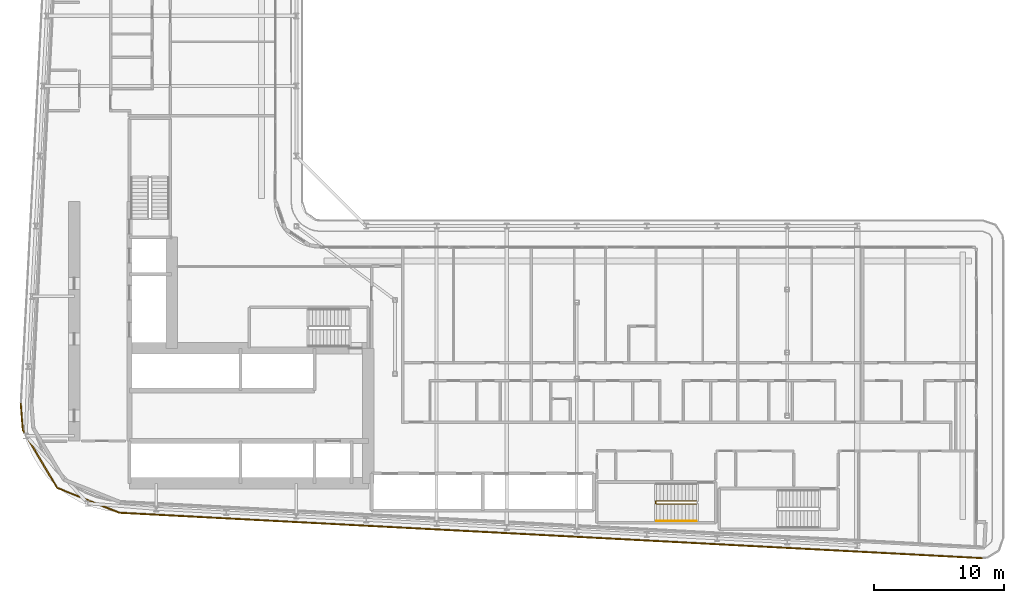
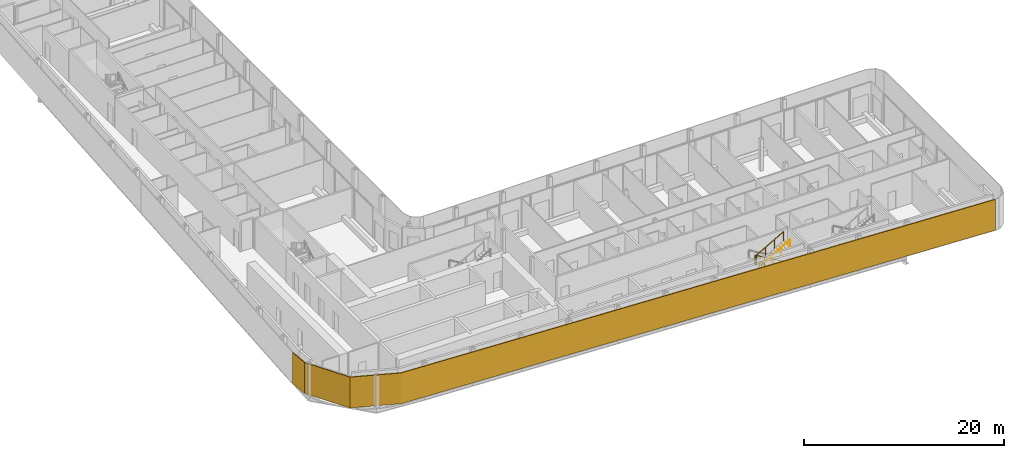
# One storey, part 24 of 28: 2 railings, 1 shading device.
"""IFC4 building model written with IfcOpenShell, lengths in metres."""

from ifc_helpers import new_model, si_unit, direction, frame, origin, origin_2d, place, context, subcontext, project, spatial, polyline, circle, outline, extrude, material, layer, layer_set, type_object, element, save


model = new_model("IFC4")

# Units and contexts
model_context = context("Model", 3, precision=1e-05, world=origin(), true_north=direction((0.0, 1.0)))
body_context = subcontext(model_context, "Body", "Model", "MODEL_VIEW")
ifc_project = project(units=[si_unit("LENGTHUNIT", "METRE"), si_unit("AREAUNIT", "SQUARE_METRE"), si_unit("VOLUMEUNIT", "CUBIC_METRE"), si_unit("PLANEANGLEUNIT", "RADIAN"), si_unit("MASSUNIT", "GRAM", prefix="KILO")], contexts=[model_context])

# Site, building, storey
site_placement = place(None, origin())
site = spatial("IfcSite", under=ifc_project, at=site_placement, CompositionType="ELEMENT")
building_placement = place(site_placement, origin())
building = spatial("IfcBuilding", under=site, at=building_placement, Name="Kheshtan School and Residences Tower", CompositionType="ELEMENT")
storey_placement = place(building_placement, frame((0.0, 0.0, 133.10009765625)))
storey = spatial("IfcBuildingStorey", under=building, at=storey_placement, Name="L31", CompositionType="ELEMENT", Elevation=133.10009765625)

# Shading device
ifc_material_1 = material(Name="Terracotta baguette, extruded ceramic", Category="masonry")
ifc_layer = layer(ifc_material_1, 0.10009765625)
ifc_layer_set = layer_set([ifc_layer], Name="Ledge screen, terracotta baguettes")
shading_device_type = type_object("IfcShadingDeviceType", Name="Ledge screen, terracotta baguettes", PredefinedType="USERDEFINED", material=ifc_layer_set)
shading_device_placement = place(storey_placement, origin())
element("IfcShadingDevice", 1, at=shading_device_placement, inside=storey, type_object=shading_device_type, Name="Screen L31 3", ObjectType="BAGUETTE", PredefinedType="USERDEFINED", context=body_context, shape_type="SweptSolid", body=[
    extrude(outline(polyline([(100.4208984375, 20.0830078125), (33.989013671875, 23.580078125), (29.2119140625, 25.486083984375), (26.583984375, 29.906982421875), (26.419921875, 31.989013671875), (26.320068359375, 31.98095703125), (26.486083984375, 29.8759765625), (29.14306640625, 25.406005859375), (33.967041015625, 23.48095703125), (100.416015625, 19.98291015625), (100.4208984375, 20.0830078125)])), origin(), (0.0, 0.0, 1.0), 3.75),
])

# Railings
ifc_material_2 = material(Name="Stainless steel balustrade", Category="steel")
railing_type_1 = type_object("IfcRailingType", Name="Stair guard 1100", PredefinedType="GUARDRAIL", material=ifc_material_2)
railing_1_placement = place(storey_placement, frame((78.409912109375, 24.449951171875, 0.162353515625)))
element("IfcRailing", 2, at=railing_1_placement, inside=storey, type_object=railing_type_1, Name="L31 ST5 stair guard 1", PredefinedType="GUARDRAIL", context=body_context, shape_type="SweptSolid", body=[
    extrude(circle(Radius=0.02392578125, at=origin_2d()), frame((0.0, 0.0, 1.076171875), z_axis=(-0.864873446163, 0.0, 0.501989962173), x_axis=(0.0, -1.0, 0.0)), (0.0, 0.0, 1.0), 3.56103515625),
    extrude(circle(Radius=0.02392578125, at=origin_2d()), frame((-3.079833984375, 0.0, 2.86376953125), z_axis=(-0.707106781187, -0.707106781187, 0.0), x_axis=(0.707106781187, -0.707106781187, 0.0)), (0.0, 0.0, 1.0), 0.07080078125),
    extrude(circle(Radius=0.02392578125, at=origin_2d()), frame((-3.1298828125, -0.050048828125, 2.86376953125), z_axis=(0.0, -1.0, 0.0), x_axis=(1.0, 0.0, 0.0)), (0.0, 0.0, 1.0), 0.14990234375),
    extrude(circle(Radius=0.02392578125, at=origin_2d()), frame((-3.1298828125, -0.199951171875, 2.86376953125), z_axis=(0.282583949758, -0.282583949758, 0.916674763849), x_axis=(0.707106781187, 0.707106781187, 0.0)), (0.0, 0.0, 1.0), 0.177001953125),
    extrude(circle(Radius=0.02392578125, at=origin_2d()), frame((-3.079833984375, -0.25, 3.02587890625), z_axis=(0.864873446163, 0.0, 0.501989962173), x_axis=(0.0, 1.0, 0.0)), (0.0, 0.0, 1.0), 3.56103515625),
    extrude(circle(Radius=0.02099609375, at=origin_2d()), origin(), (0.0, 0.0, 1.0), 1.052001953125),
    extrude(circle(Radius=0.02099609375, at=origin_2d()), frame((-1.026611328125, 0.0, 0.595947265625)), (0.0, 0.0, 1.0), 1.052001953125),
    extrude(circle(Radius=0.02099609375, at=origin_2d()), frame((-2.05322265625, 0.0, 1.191650390625)), (0.0, 0.0, 1.0), 1.052001953125),
    extrude(circle(Radius=0.02099609375, at=origin_2d()), frame((-3.079833984375, 0.0, 1.78759765625)), (0.0, 0.0, 1.0), 1.052001953125),
    extrude(circle(Radius=0.02099609375, at=origin_2d()), frame((-3.1298828125, -0.050048828125, 1.78759765625)), (0.0, 0.0, 1.0), 1.052001953125),
    extrude(circle(Radius=0.02099609375, at=origin_2d()), frame((-3.1298828125, -0.199951171875, 1.78759765625)), (0.0, 0.0, 1.0), 1.052001953125),
    extrude(circle(Radius=0.02099609375, at=origin_2d()), frame((-3.079833984375, -0.25, 1.949951171875)), (0.0, 0.0, 1.0), 1.052001953125),
    extrude(circle(Radius=0.02099609375, at=origin_2d()), frame((-2.05322265625, -0.25, 2.5458984375)), (0.0, 0.0, 1.0), 1.052001953125),
    extrude(circle(Radius=0.02099609375, at=origin_2d()), frame((-1.026611328125, -0.25, 3.1416015625)), (0.0, 0.0, 1.0), 1.052001953125),
    extrude(circle(Radius=0.02099609375, at=origin_2d()), frame((0.0, -0.25, 3.737548828125)), (0.0, 0.0, 1.0), 1.052001953125),
])
ifc_material_3 = material(Name="Stainless steel handrail", Category="steel")
railing_type_2 = type_object("IfcRailingType", Name="Stair handrail 900", PredefinedType="HANDRAIL", material=ifc_material_3)
railing_2_placement = place(storey_placement, frame((75.330078125, 22.89990234375, 2.1123046875)))
element("IfcRailing", 3, at=railing_2_placement, inside=storey, type_object=railing_type_2, Name="L31 ST5 stair handrail 2", PredefinedType="HANDRAIL", context=body_context, shape_type="SweptSolid", body=[
    extrude(circle(Radius=0.02392578125, at=origin_2d()), frame((0.0, 0.0, 0.8759765625), z_axis=(0.864873446163, 0.0, 0.501989962173), x_axis=(0.0, 1.0, 0.0)), (0.0, 0.0, 1.0), 3.56103515625),
    extrude(circle(Radius=0.02099609375, at=origin_2d()), origin(), (0.0, 0.0, 1.0), 0.851806640625),
    extrude(circle(Radius=0.02099609375, at=origin_2d()), frame((1.026611328125, 0.0, 0.595947265625)), (0.0, 0.0, 1.0), 0.851806640625),
    extrude(circle(Radius=0.02099609375, at=origin_2d()), frame((2.05322265625, 0.0, 1.191650390625)), (0.0, 0.0, 1.0), 0.851806640625),
    extrude(circle(Radius=0.02099609375, at=origin_2d()), frame((3.079833984375, 0.0, 1.78759765625)), (0.0, 0.0, 1.0), 0.851806640625),
])

save(model, "model.ifc")
